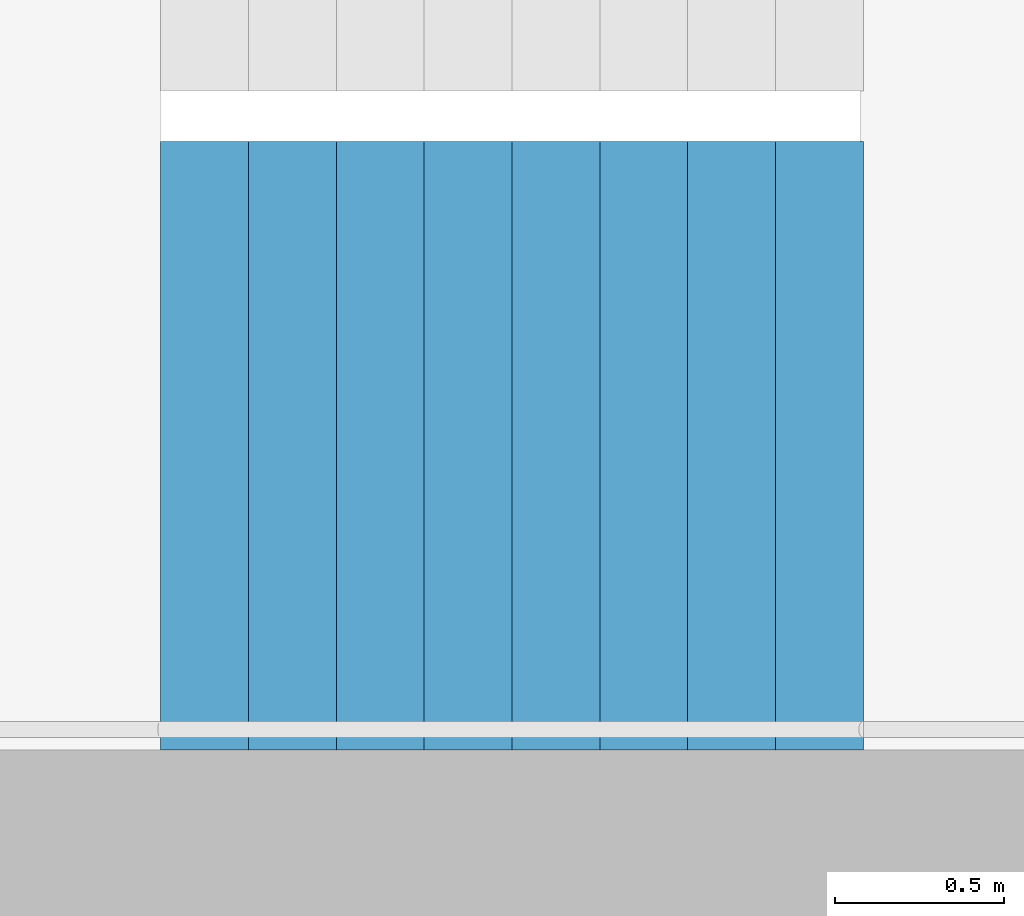
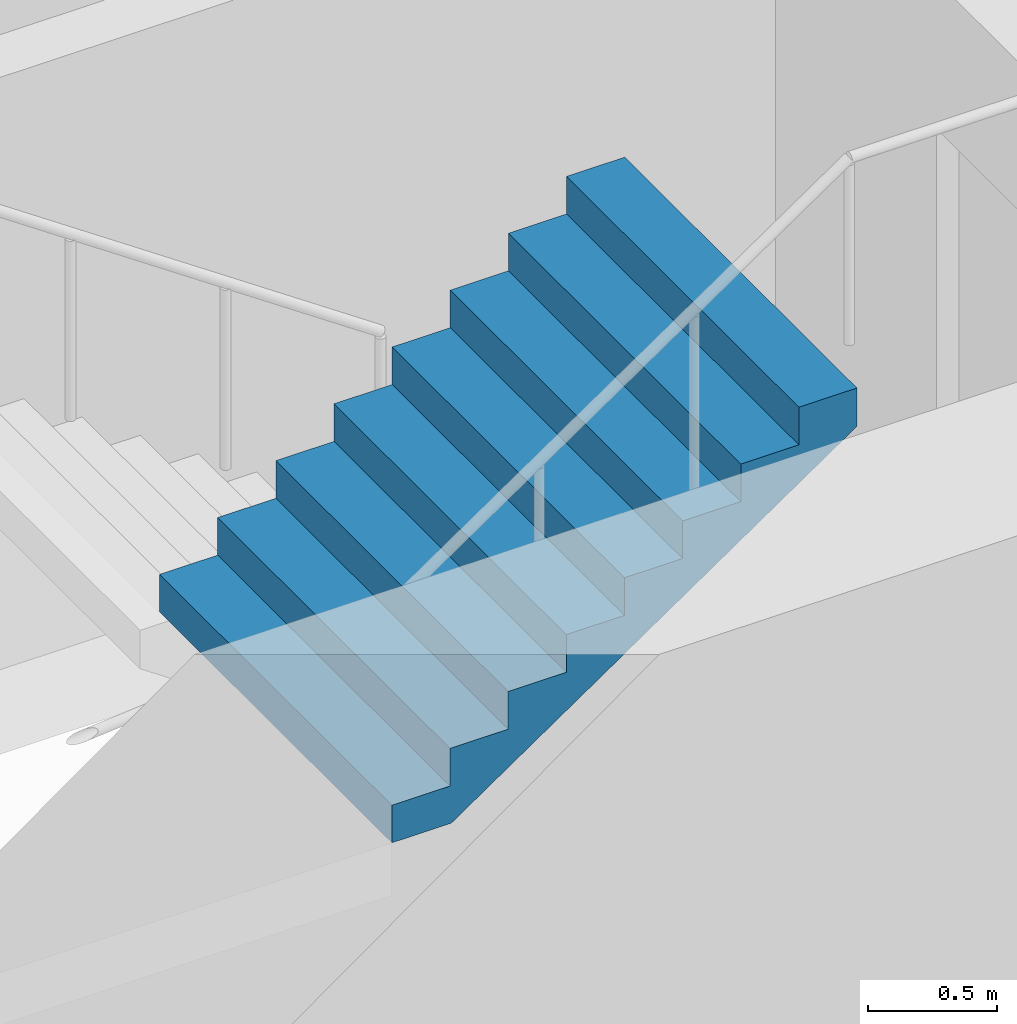
# One storey, part 21 of 29: 1 stair flight, 1 element without a shape of its own.
"""IFC4 building model written with IfcOpenShell, lengths in metres."""

from ifc_helpers import new_model, si_unit, direction, frame, origin, place, context, subcontext, project, spatial, triangles, material, type_object, element, aggregate, save


model = new_model("IFC4")

# Units and contexts
model_context = context("Model", 3, precision=1e-05, world=origin(), true_north=direction((0.0, 1.0)))
body_context = subcontext(model_context, "Body", "Model", "MODEL_VIEW")
ifc_project = project(units=[si_unit("LENGTHUNIT", "METRE"), si_unit("AREAUNIT", "SQUARE_METRE"), si_unit("VOLUMEUNIT", "CUBIC_METRE"), si_unit("PLANEANGLEUNIT", "RADIAN"), si_unit("MASSUNIT", "GRAM", prefix="KILO")], contexts=[model_context])

# Site, building, storey
site_placement = place(None, origin())
site = spatial("IfcSite", under=ifc_project, at=site_placement, CompositionType="ELEMENT")
building_placement = place(site_placement, origin())
building = spatial("IfcBuilding", under=site, at=building_placement, Name="Hakoniwa Tower and Hamabe Station Hall", CompositionType="ELEMENT")
storey_placement = place(building_placement, frame((0.0, 0.0, 91.39990234375)))
storey = spatial("IfcBuildingStorey", under=building, at=storey_placement, Name="L25", CompositionType="ELEMENT", Elevation=91.39990234375)

# Stair, stair flight
ifc_material_1 = material(Name="Concrete C40", Category="concrete")
stair_type = type_object("IfcStairType", Name="ESCAPE STAIR 1800", PredefinedType="HALF_TURN_STAIR", material=ifc_material_1)
stair_placement = place(storey_placement, origin())
stair = element("IfcStair", 1, at=stair_placement, inside=storey, type_object=stair_type, Name="Escape stair ST-2 L25", PredefinedType="HALF_TURN_STAIR")
ifc_material_2 = material(Name="Concrete C40", Category="concrete")
stair_flight_type = type_object("IfcStairFlightType", Name="STAIR FLIGHT 1800", PredefinedType="STRAIGHT", material=ifc_material_2)
stair_flight_placement = place(storey_placement, frame((-25.47998046875, -6.60009765625, 1.60009765625), z_axis=(0.0, 0.0, 1.0), x_axis=(1.0, 0.0, 0.0)))
stair_flight = element("IfcStairFlight", 2, at=stair_flight_placement, type_object=stair_flight_type, Name="ST-2 flight 2", NumberOfRisers=9, NumberOfTreads=8, PredefinedType="STRAIGHT", RiserHeight=0.177777778, TreadLength=0.26, context=body_context, shape_type="Tessellation", body=[
    triangles([(0.0, 0.89990234375, 0.0), (0.260009765625, 0.89990234375, 0.0), (0.265625, 0.89990234375, 0.0), (0.52001953125, 0.89990234375, 0.174072265625), (0.780029296875, 0.89990234375, 0.351806640625), (1.0400390625, 0.89990234375, 0.529541015625), (1.300048828125, 0.89990234375, 0.707275390625), (1.56005859375, 0.89990234375, 0.885009765625), (1.820068359375, 0.89990234375, 1.062744140625), (2.080078125, 0.89990234375, 1.24072265625), (2.080078125, 0.89990234375, 1.422119140625), (1.820068359375, 0.89990234375, 1.422119140625), (1.820068359375, 0.89990234375, 1.244384765625), (1.56005859375, 0.89990234375, 1.244384765625), (1.56005859375, 0.89990234375, 1.066650390625), (1.300048828125, 0.89990234375, 1.066650390625), (1.300048828125, 0.89990234375, 0.888916015625), (1.0400390625, 0.89990234375, 0.888916015625), (1.0400390625, 0.89990234375, 0.711181640625), (0.780029296875, 0.89990234375, 0.711181640625), (0.780029296875, 0.89990234375, 0.533447265625), (0.52001953125, 0.89990234375, 0.533447265625), (0.52001953125, 0.89990234375, 0.35546875), (0.265625, 0.89990234375, 0.35546875), (0.260009765625, 0.89990234375, 0.35546875), (0.260009765625, 0.89990234375, 0.177734375), (0.0, 0.89990234375, 0.177734375), (0.0, 0.06005859375, 0.0), (0.260009765625, 0.06005859375, 0.0), (0.265625, 0.06005859375, 0.0), (0.52001953125, 0.06005859375, 0.174072265625), (0.780029296875, 0.06005859375, 0.351806640625), (1.0400390625, 0.06005859375, 0.529541015625), (1.300048828125, 0.06005859375, 0.707275390625), (1.56005859375, 0.06005859375, 0.885009765625), (1.820068359375, 0.06005859375, 1.062744140625), (2.080078125, 0.06005859375, 1.24072265625), (2.080078125, 0.06005859375, 1.422119140625), (1.820068359375, 0.06005859375, 1.422119140625), (1.820068359375, 0.06005859375, 1.244384765625), (1.56005859375, 0.06005859375, 1.244384765625), (1.56005859375, 0.06005859375, 1.066650390625), (1.300048828125, 0.06005859375, 1.066650390625), (1.300048828125, 0.06005859375, 0.888916015625), (1.0400390625, 0.06005859375, 0.888916015625), (1.0400390625, 0.06005859375, 0.711181640625), (0.780029296875, 0.06005859375, 0.711181640625), (0.780029296875, 0.06005859375, 0.533447265625), (0.52001953125, 0.06005859375, 0.533447265625), (0.52001953125, 0.06005859375, 0.35546875), (0.265625, 0.06005859375, 0.35546875), (0.260009765625, 0.06005859375, 0.35546875), (0.260009765625, 0.06005859375, 0.177734375), (0.0, 0.06005859375, 0.177734375), (0.0, 0.04296875, 0.0), (0.260009765625, 0.04296875, 0.0), (0.265625, 0.04296875, 0.0), (0.52001953125, 0.04296875, 0.174072265625), (0.780029296875, 0.04296875, 0.351806640625), (1.0400390625, 0.04296875, 0.529541015625), (1.300048828125, 0.04296875, 0.707275390625), (1.56005859375, 0.04296875, 0.885009765625), (1.820068359375, 0.04296875, 1.062744140625), (2.080078125, 0.04296875, 1.24072265625), (2.080078125, 0.04296875, 1.422119140625), (1.820068359375, 0.04296875, 1.422119140625), (1.820068359375, 0.04296875, 1.244384765625), (1.56005859375, 0.04296875, 1.244384765625), (1.56005859375, 0.04296875, 1.066650390625), (1.300048828125, 0.04296875, 1.066650390625), (1.300048828125, 0.04296875, 0.888916015625), (1.0400390625, 0.04296875, 0.888916015625), (1.0400390625, 0.04296875, 0.711181640625), (0.780029296875, 0.04296875, 0.711181640625), (0.780029296875, 0.04296875, 0.533447265625), (0.52001953125, 0.04296875, 0.533447265625), (0.52001953125, 0.04296875, 0.35546875), (0.265625, 0.04296875, 0.35546875), (0.260009765625, 0.04296875, 0.35546875), (0.260009765625, 0.04296875, 0.177734375), (0.0, 0.04296875, 0.177734375), (0.0, 0.025634765625, 0.0), (0.260009765625, 0.025634765625, 0.0), (0.265625, 0.025634765625, 0.0), (0.52001953125, 0.025634765625, 0.174072265625), (0.780029296875, 0.025634765625, 0.351806640625), (1.0400390625, 0.025634765625, 0.529541015625), (1.300048828125, 0.025634765625, 0.707275390625), (1.56005859375, 0.025634765625, 0.885009765625), (1.820068359375, 0.025634765625, 1.062744140625), (2.080078125, 0.025634765625, 1.24072265625), (2.080078125, 0.025634765625, 1.422119140625), (1.820068359375, 0.025634765625, 1.422119140625), (1.820068359375, 0.025634765625, 1.244384765625), (1.56005859375, 0.025634765625, 1.244384765625), (1.56005859375, 0.025634765625, 1.066650390625), (1.300048828125, 0.025634765625, 1.066650390625), (1.300048828125, 0.025634765625, 0.888916015625), (1.0400390625, 0.025634765625, 0.888916015625), (1.0400390625, 0.025634765625, 0.711181640625), (0.780029296875, 0.025634765625, 0.711181640625), (0.780029296875, 0.025634765625, 0.533447265625), (0.52001953125, 0.025634765625, 0.533447265625), (0.52001953125, 0.025634765625, 0.35546875), (0.265625, 0.025634765625, 0.35546875), (0.260009765625, 0.025634765625, 0.35546875), (0.260009765625, 0.025634765625, 0.177734375), (0.0, 0.025634765625, 0.177734375), (0.0, 0.008544921875, 0.0), (0.260009765625, 0.008544921875, 0.0), (0.265625, 0.008544921875, 0.0), (0.52001953125, 0.008544921875, 0.174072265625), (0.780029296875, 0.008544921875, 0.351806640625), (1.0400390625, 0.008544921875, 0.529541015625), (1.300048828125, 0.008544921875, 0.707275390625), (1.56005859375, 0.008544921875, 0.885009765625), (1.820068359375, 0.008544921875, 1.062744140625), (2.080078125, 0.008544921875, 1.24072265625), (2.080078125, 0.008544921875, 1.422119140625), (1.820068359375, 0.008544921875, 1.422119140625), (1.820068359375, 0.008544921875, 1.244384765625), (1.56005859375, 0.008544921875, 1.244384765625), (1.56005859375, 0.008544921875, 1.066650390625), (1.300048828125, 0.008544921875, 1.066650390625), (1.300048828125, 0.008544921875, 0.888916015625), (1.0400390625, 0.008544921875, 0.888916015625), (1.0400390625, 0.008544921875, 0.711181640625), (0.780029296875, 0.008544921875, 0.711181640625), (0.780029296875, 0.008544921875, 0.533447265625), (0.52001953125, 0.008544921875, 0.533447265625), (0.52001953125, 0.008544921875, 0.35546875), (0.265625, 0.008544921875, 0.35546875), (0.260009765625, 0.008544921875, 0.35546875), (0.260009765625, 0.008544921875, 0.177734375), (0.0, 0.008544921875, 0.177734375), (0.0, -0.008544921875, 0.0), (0.260009765625, -0.008544921875, 0.0), (0.265625, -0.008544921875, 0.0), (0.52001953125, -0.008544921875, 0.174072265625), (0.780029296875, -0.008544921875, 0.351806640625), (1.0400390625, -0.008544921875, 0.529541015625), (1.300048828125, -0.008544921875, 0.707275390625), (1.56005859375, -0.008544921875, 0.885009765625), (1.820068359375, -0.008544921875, 1.062744140625), (2.080078125, -0.008544921875, 1.24072265625), (2.080078125, -0.008544921875, 1.422119140625), (1.820068359375, -0.008544921875, 1.422119140625), (1.820068359375, -0.008544921875, 1.244384765625), (1.56005859375, -0.008544921875, 1.244384765625), (1.56005859375, -0.008544921875, 1.066650390625), (1.300048828125, -0.008544921875, 1.066650390625), (1.300048828125, -0.008544921875, 0.888916015625), (1.0400390625, -0.008544921875, 0.888916015625), (1.0400390625, -0.008544921875, 0.711181640625), (0.780029296875, -0.008544921875, 0.711181640625), (0.780029296875, -0.008544921875, 0.533447265625), (0.52001953125, -0.008544921875, 0.533447265625), (0.52001953125, -0.008544921875, 0.35546875), (0.265625, -0.008544921875, 0.35546875), (0.260009765625, -0.008544921875, 0.35546875), (0.260009765625, -0.008544921875, 0.177734375), (0.0, -0.008544921875, 0.177734375), (0.0, -0.025634765625, 0.0), (0.260009765625, -0.025634765625, 0.0), (0.265625, -0.025634765625, 0.0), (0.52001953125, -0.025634765625, 0.174072265625), (0.780029296875, -0.025634765625, 0.351806640625), (1.0400390625, -0.025634765625, 0.529541015625), (1.300048828125, -0.025634765625, 0.707275390625), (1.56005859375, -0.025634765625, 0.885009765625), (1.820068359375, -0.025634765625, 1.062744140625), (2.080078125, -0.025634765625, 1.24072265625), (2.080078125, -0.025634765625, 1.422119140625), (1.820068359375, -0.025634765625, 1.422119140625), (1.820068359375, -0.025634765625, 1.244384765625), (1.56005859375, -0.025634765625, 1.244384765625), (1.56005859375, -0.025634765625, 1.066650390625), (1.300048828125, -0.025634765625, 1.066650390625), (1.300048828125, -0.025634765625, 0.888916015625), (1.0400390625, -0.025634765625, 0.888916015625), (1.0400390625, -0.025634765625, 0.711181640625), (0.780029296875, -0.025634765625, 0.711181640625), (0.780029296875, -0.025634765625, 0.533447265625), (0.52001953125, -0.025634765625, 0.533447265625), (0.52001953125, -0.025634765625, 0.35546875), (0.265625, -0.025634765625, 0.35546875), (0.260009765625, -0.025634765625, 0.35546875), (0.260009765625, -0.025634765625, 0.177734375), (0.0, -0.025634765625, 0.177734375), (0.0, -0.04296875, 0.0), (0.260009765625, -0.04296875, 0.0), (0.265625, -0.04296875, 0.0), (0.52001953125, -0.04296875, 0.174072265625), (0.780029296875, -0.04296875, 0.351806640625), (1.0400390625, -0.04296875, 0.529541015625), (1.300048828125, -0.04296875, 0.707275390625), (1.56005859375, -0.04296875, 0.885009765625), (1.820068359375, -0.04296875, 1.062744140625), (2.080078125, -0.04296875, 1.24072265625), (2.080078125, -0.04296875, 1.422119140625), (1.820068359375, -0.04296875, 1.422119140625), (1.820068359375, -0.04296875, 1.244384765625), (1.56005859375, -0.04296875, 1.244384765625), (1.56005859375, -0.04296875, 1.066650390625), (1.300048828125, -0.04296875, 1.066650390625), (1.300048828125, -0.04296875, 0.888916015625), (1.0400390625, -0.04296875, 0.888916015625), (1.0400390625, -0.04296875, 0.711181640625), (0.780029296875, -0.04296875, 0.711181640625), (0.780029296875, -0.04296875, 0.533447265625), (0.52001953125, -0.04296875, 0.533447265625), (0.52001953125, -0.04296875, 0.35546875), (0.265625, -0.04296875, 0.35546875), (0.260009765625, -0.04296875, 0.35546875), (0.260009765625, -0.04296875, 0.177734375), (0.0, -0.04296875, 0.177734375), (0.0, -0.06005859375, 0.0), (0.260009765625, -0.06005859375, 0.0), (0.265625, -0.06005859375, 0.0), (0.52001953125, -0.06005859375, 0.174072265625), (0.780029296875, -0.06005859375, 0.351806640625), (1.0400390625, -0.06005859375, 0.529541015625), (1.300048828125, -0.06005859375, 0.707275390625), (1.56005859375, -0.06005859375, 0.885009765625), (1.820068359375, -0.06005859375, 1.062744140625), (2.080078125, -0.06005859375, 1.24072265625), (2.080078125, -0.06005859375, 1.422119140625), (1.820068359375, -0.06005859375, 1.422119140625), (1.820068359375, -0.06005859375, 1.244384765625), (1.56005859375, -0.06005859375, 1.244384765625), (1.56005859375, -0.06005859375, 1.066650390625), (1.300048828125, -0.06005859375, 1.066650390625), (1.300048828125, -0.06005859375, 0.888916015625), (1.0400390625, -0.06005859375, 0.888916015625), (1.0400390625, -0.06005859375, 0.711181640625), (0.780029296875, -0.06005859375, 0.711181640625), (0.780029296875, -0.06005859375, 0.533447265625), (0.52001953125, -0.06005859375, 0.533447265625), (0.52001953125, -0.06005859375, 0.35546875), (0.265625, -0.06005859375, 0.35546875), (0.260009765625, -0.06005859375, 0.35546875), (0.260009765625, -0.06005859375, 0.177734375), (0.0, -0.06005859375, 0.177734375), (0.0, -0.89990234375, 0.0), (0.260009765625, -0.89990234375, 0.0), (0.265625, -0.89990234375, 0.0), (0.52001953125, -0.89990234375, 0.174072265625), (0.780029296875, -0.89990234375, 0.351806640625), (1.0400390625, -0.89990234375, 0.529541015625), (1.300048828125, -0.89990234375, 0.707275390625), (1.56005859375, -0.89990234375, 0.885009765625), (1.820068359375, -0.89990234375, 1.062744140625), (2.080078125, -0.89990234375, 1.24072265625), (2.080078125, -0.89990234375, 1.422119140625), (1.820068359375, -0.89990234375, 1.422119140625), (1.820068359375, -0.89990234375, 1.244384765625), (1.56005859375, -0.89990234375, 1.244384765625), (1.56005859375, -0.89990234375, 1.066650390625), (1.300048828125, -0.89990234375, 1.066650390625), (1.300048828125, -0.89990234375, 0.888916015625), (1.0400390625, -0.89990234375, 0.888916015625), (1.0400390625, -0.89990234375, 0.711181640625), (0.780029296875, -0.89990234375, 0.711181640625), (0.780029296875, -0.89990234375, 0.533447265625), (0.52001953125, -0.89990234375, 0.533447265625), (0.52001953125, -0.89990234375, 0.35546875), (0.265625, -0.89990234375, 0.35546875), (0.260009765625, -0.89990234375, 0.35546875), (0.260009765625, -0.89990234375, 0.177734375), (0.0, -0.89990234375, 0.177734375)], [[2, 27, 26], [245, 269, 270], [2, 1, 27], [245, 270, 244], [3, 25, 24], [246, 267, 268], [3, 26, 25], [246, 268, 269], [3, 2, 26], [246, 269, 245], [4, 24, 23], [247, 266, 267], [4, 3, 24], [247, 267, 246], [5, 22, 21], [248, 264, 265], [5, 23, 22], [248, 265, 266], [5, 4, 23], [248, 266, 247], [6, 20, 19], [249, 262, 263], [6, 21, 20], [249, 263, 264], [6, 5, 21], [249, 264, 248], [7, 18, 17], [250, 260, 261], [7, 19, 18], [250, 261, 262], [7, 6, 19], [250, 262, 249], [8, 16, 15], [251, 258, 259], [8, 17, 16], [251, 259, 260], [8, 7, 17], [251, 260, 250], [9, 14, 13], [252, 256, 257], [9, 15, 14], [252, 257, 258], [9, 8, 15], [252, 258, 251], [10, 12, 11], [253, 254, 255], [10, 13, 12], [253, 255, 256], [10, 9, 13], [253, 256, 252], [1, 2, 29], [1, 29, 28], [28, 29, 56], [28, 56, 55], [55, 56, 83], [55, 83, 82], [82, 83, 110], [82, 110, 109], [109, 110, 137], [109, 137, 136], [136, 137, 164], [136, 164, 163], [163, 164, 191], [163, 191, 190], [190, 191, 218], [190, 218, 217], [217, 218, 245], [217, 245, 244], [2, 3, 30], [2, 30, 29], [29, 30, 57], [29, 57, 56], [56, 57, 84], [56, 84, 83], [83, 84, 111], [83, 111, 110], [110, 111, 138], [110, 138, 137], [137, 138, 165], [137, 165, 164], [164, 165, 192], [164, 192, 191], [191, 192, 219], [191, 219, 218], [218, 219, 246], [218, 246, 245], [3, 4, 31], [3, 31, 30], [30, 31, 58], [30, 58, 57], [57, 58, 85], [57, 85, 84], [84, 85, 112], [84, 112, 111], [111, 112, 139], [111, 139, 138], [138, 139, 166], [138, 166, 165], [165, 166, 193], [165, 193, 192], [192, 193, 220], [192, 220, 219], [219, 220, 247], [219, 247, 246], [4, 5, 32], [4, 32, 31], [31, 32, 59], [31, 59, 58], [58, 59, 86], [58, 86, 85], [85, 86, 113], [85, 113, 112], [112, 113, 140], [112, 140, 139], [139, 140, 167], [139, 167, 166], [166, 167, 194], [166, 194, 193], [193, 194, 221], [193, 221, 220], [220, 221, 248], [220, 248, 247], [5, 6, 33], [5, 33, 32], [32, 33, 60], [32, 60, 59], [59, 60, 87], [59, 87, 86], [86, 87, 114], [86, 114, 113], [113, 114, 141], [113, 141, 140], [140, 141, 168], [140, 168, 167], [167, 168, 195], [167, 195, 194], [194, 195, 222], [194, 222, 221], [221, 222, 249], [221, 249, 248], [6, 7, 34], [6, 34, 33], [33, 34, 61], [33, 61, 60], [60, 61, 88], [60, 88, 87], [87, 88, 115], [87, 115, 114], [114, 115, 142], [114, 142, 141], [141, 142, 169], [141, 169, 168], [168, 169, 196], [168, 196, 195], [195, 196, 223], [195, 223, 222], [222, 223, 250], [222, 250, 249], [7, 8, 35], [7, 35, 34], [34, 35, 62], [34, 62, 61], [61, 62, 89], [61, 89, 88], [88, 89, 116], [88, 116, 115], [115, 116, 143], [115, 143, 142], [142, 143, 170], [142, 170, 169], [169, 170, 197], [169, 197, 196], [196, 197, 224], [196, 224, 223], [223, 224, 251], [223, 251, 250], [8, 9, 36], [8, 36, 35], [35, 36, 63], [35, 63, 62], [62, 63, 90], [62, 90, 89], [89, 90, 117], [89, 117, 116], [116, 117, 144], [116, 144, 143], [143, 144, 171], [143, 171, 170], [170, 171, 198], [170, 198, 197], [197, 198, 225], [197, 225, 224], [224, 225, 252], [224, 252, 251], [9, 10, 37], [9, 37, 36], [36, 37, 64], [36, 64, 63], [63, 64, 91], [63, 91, 90], [90, 91, 118], [90, 118, 117], [117, 118, 145], [117, 145, 144], [144, 145, 172], [144, 172, 171], [171, 172, 199], [171, 199, 198], [198, 199, 226], [198, 226, 225], [225, 226, 253], [225, 253, 252], [10, 11, 38], [10, 38, 37], [37, 38, 65], [37, 65, 64], [64, 65, 92], [64, 92, 91], [91, 92, 119], [91, 119, 118], [118, 119, 146], [118, 146, 145], [145, 146, 173], [145, 173, 172], [172, 173, 200], [172, 200, 199], [199, 200, 227], [199, 227, 226], [226, 227, 254], [226, 254, 253], [11, 12, 39], [11, 39, 38], [38, 39, 66], [38, 66, 65], [65, 66, 93], [65, 93, 92], [92, 93, 120], [92, 120, 119], [119, 120, 147], [119, 147, 146], [146, 147, 174], [146, 174, 173], [173, 174, 201], [173, 201, 200], [200, 201, 228], [200, 228, 227], [227, 228, 255], [227, 255, 254], [12, 13, 40], [12, 40, 39], [39, 40, 67], [39, 67, 66], [66, 67, 94], [66, 94, 93], [93, 94, 121], [93, 121, 120], [120, 121, 148], [120, 148, 147], [147, 148, 175], [147, 175, 174], [174, 175, 202], [174, 202, 201], [201, 202, 229], [201, 229, 228], [228, 229, 256], [228, 256, 255], [13, 14, 41], [13, 41, 40], [40, 41, 68], [40, 68, 67], [67, 68, 95], [67, 95, 94], [94, 95, 122], [94, 122, 121], [121, 122, 149], [121, 149, 148], [148, 149, 176], [148, 176, 175], [175, 176, 203], [175, 203, 202], [202, 203, 230], [202, 230, 229], [229, 230, 257], [229, 257, 256], [14, 15, 42], [14, 42, 41], [41, 42, 69], [41, 69, 68], [68, 69, 96], [68, 96, 95], [95, 96, 123], [95, 123, 122], [122, 123, 150], [122, 150, 149], [149, 150, 177], [149, 177, 176], [176, 177, 204], [176, 204, 203], [203, 204, 231], [203, 231, 230], [230, 231, 258], [230, 258, 257], [15, 16, 43], [15, 43, 42], [42, 43, 70], [42, 70, 69], [69, 70, 97], [69, 97, 96], [96, 97, 124], [96, 124, 123], [123, 124, 151], [123, 151, 150], [150, 151, 178], [150, 178, 177], [177, 178, 205], [177, 205, 204], [204, 205, 232], [204, 232, 231], [231, 232, 259], [231, 259, 258], [16, 17, 44], [16, 44, 43], [43, 44, 71], [43, 71, 70], [70, 71, 98], [70, 98, 97], [97, 98, 125], [97, 125, 124], [124, 125, 152], [124, 152, 151], [151, 152, 179], [151, 179, 178], [178, 179, 206], [178, 206, 205], [205, 206, 233], [205, 233, 232], [232, 233, 260], [232, 260, 259], [17, 18, 45], [17, 45, 44], [44, 45, 72], [44, 72, 71], [71, 72, 99], [71, 99, 98], [98, 99, 126], [98, 126, 125], [125, 126, 153], [125, 153, 152], [152, 153, 180], [152, 180, 179], [179, 180, 207], [179, 207, 206], [206, 207, 234], [206, 234, 233], [233, 234, 261], [233, 261, 260], [18, 19, 46], [18, 46, 45], [45, 46, 73], [45, 73, 72], [72, 73, 100], [72, 100, 99], [99, 100, 127], [99, 127, 126], [126, 127, 154], [126, 154, 153], [153, 154, 181], [153, 181, 180], [180, 181, 208], [180, 208, 207], [207, 208, 235], [207, 235, 234], [234, 235, 262], [234, 262, 261], [19, 20, 47], [19, 47, 46], [46, 47, 74], [46, 74, 73], [73, 74, 101], [73, 101, 100], [100, 101, 128], [100, 128, 127], [127, 128, 155], [127, 155, 154], [154, 155, 182], [154, 182, 181], [181, 182, 209], [181, 209, 208], [208, 209, 236], [208, 236, 235], [235, 236, 263], [235, 263, 262], [20, 21, 48], [20, 48, 47], [47, 48, 75], [47, 75, 74], [74, 75, 102], [74, 102, 101], [101, 102, 129], [101, 129, 128], [128, 129, 156], [128, 156, 155], [155, 156, 183], [155, 183, 182], [182, 183, 210], [182, 210, 209], [209, 210, 237], [209, 237, 236], [236, 237, 264], [236, 264, 263], [21, 22, 49], [21, 49, 48], [48, 49, 76], [48, 76, 75], [75, 76, 103], [75, 103, 102], [102, 103, 130], [102, 130, 129], [129, 130, 157], [129, 157, 156], [156, 157, 184], [156, 184, 183], [183, 184, 211], [183, 211, 210], [210, 211, 238], [210, 238, 237], [237, 238, 265], [237, 265, 264], [22, 23, 50], [22, 50, 49], [49, 50, 77], [49, 77, 76], [76, 77, 104], [76, 104, 103], [103, 104, 131], [103, 131, 130], [130, 131, 158], [130, 158, 157], [157, 158, 185], [157, 185, 184], [184, 185, 212], [184, 212, 211], [211, 212, 239], [211, 239, 238], [238, 239, 266], [238, 266, 265], [23, 24, 51], [23, 51, 50], [50, 51, 78], [50, 78, 77], [77, 78, 105], [77, 105, 104], [104, 105, 132], [104, 132, 131], [131, 132, 159], [131, 159, 158], [158, 159, 186], [158, 186, 185], [185, 186, 213], [185, 213, 212], [212, 213, 240], [212, 240, 239], [239, 240, 267], [239, 267, 266], [24, 25, 52], [24, 52, 51], [51, 52, 79], [51, 79, 78], [78, 79, 106], [78, 106, 105], [105, 106, 133], [105, 133, 132], [132, 133, 160], [132, 160, 159], [159, 160, 187], [159, 187, 186], [186, 187, 214], [186, 214, 213], [213, 214, 241], [213, 241, 240], [240, 241, 268], [240, 268, 267], [25, 26, 53], [25, 53, 52], [52, 53, 80], [52, 80, 79], [79, 80, 107], [79, 107, 106], [106, 107, 134], [106, 134, 133], [133, 134, 161], [133, 161, 160], [160, 161, 188], [160, 188, 187], [187, 188, 215], [187, 215, 214], [214, 215, 242], [214, 242, 241], [241, 242, 269], [241, 269, 268], [26, 27, 54], [26, 54, 53], [53, 54, 81], [53, 81, 80], [80, 81, 108], [80, 108, 107], [107, 108, 135], [107, 135, 134], [134, 135, 162], [134, 162, 161], [161, 162, 189], [161, 189, 188], [188, 189, 216], [188, 216, 215], [215, 216, 243], [215, 243, 242], [242, 243, 270], [242, 270, 269], [27, 1, 28], [27, 28, 54], [54, 28, 55], [54, 55, 81], [81, 55, 82], [81, 82, 108], [108, 82, 109], [108, 109, 135], [135, 109, 136], [135, 136, 162], [162, 136, 163], [162, 163, 189], [189, 163, 190], [189, 190, 216], [216, 190, 217], [216, 217, 243], [243, 217, 244], [243, 244, 270]], closed=True),
])
aggregate(stair, [stair_flight])

save(model, "model.ifc")
